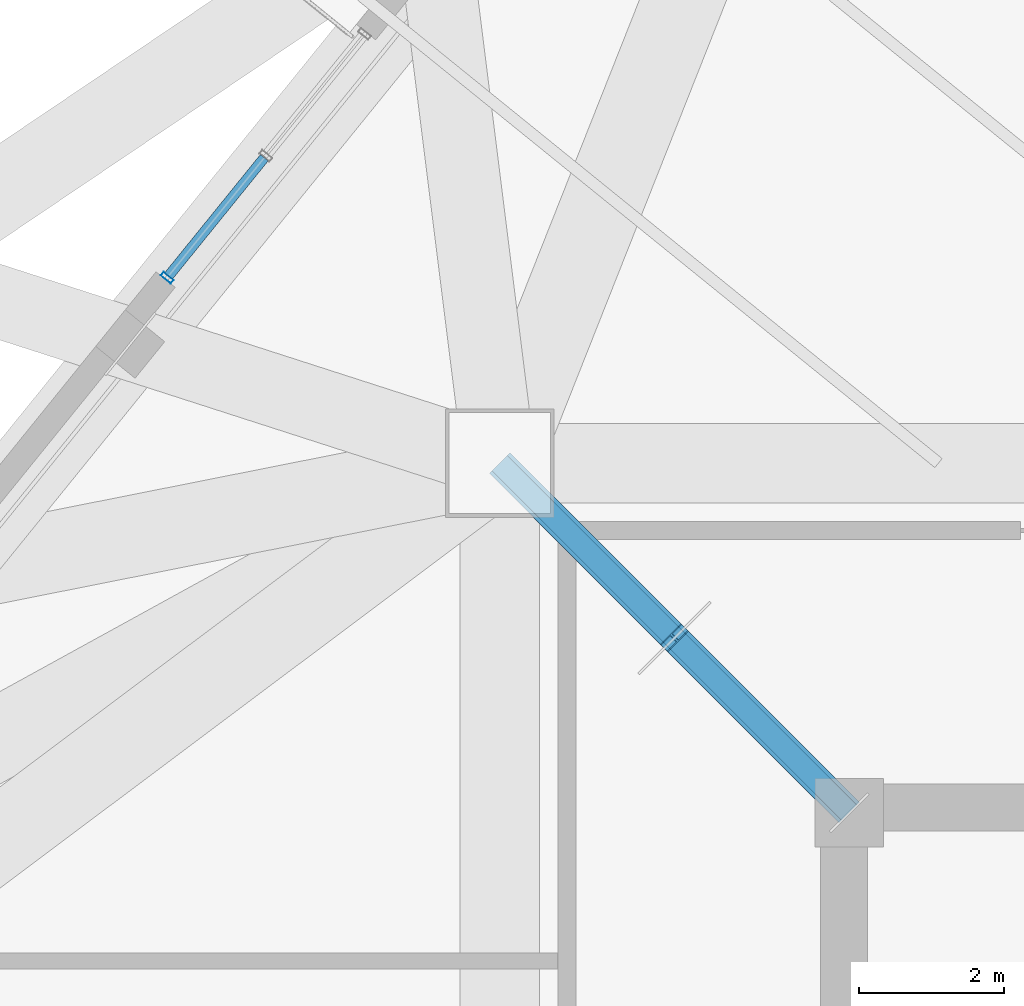
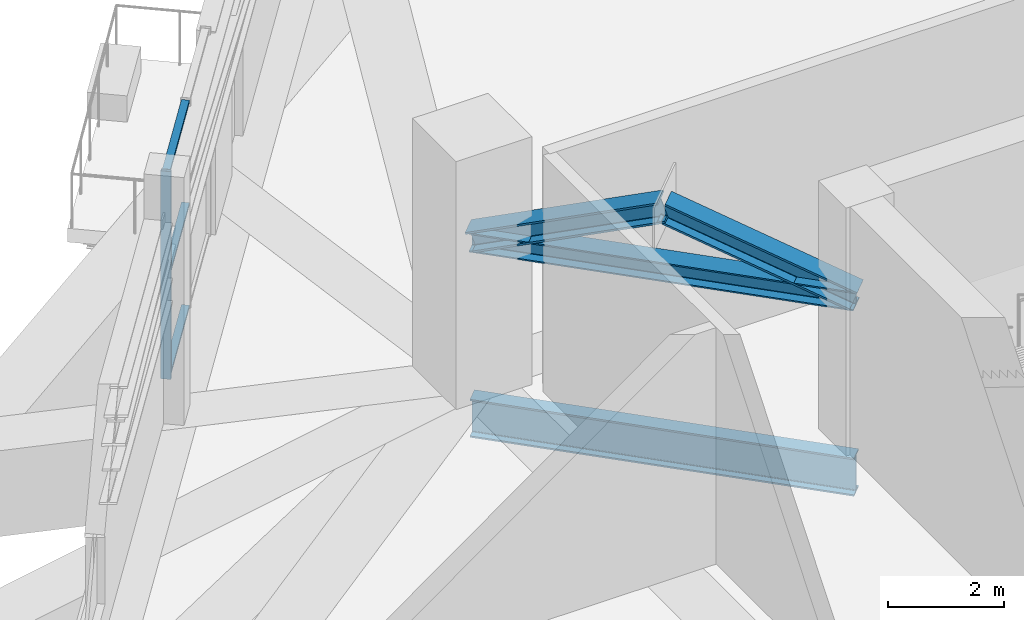
# One storey, part 7 of 22: 7 members, 1 beam, 1 element without a shape of its own.
"""IFC4 building model written with IfcOpenShell, lengths in metres."""

import ifcopenshell
import ifcopenshell.guid

model = None  # the IFC model being written
_history = None  # IfcOwnerHistory: only IFC2X3 demands one
_inside = {}  # id of a spatial element -> (the spatial element, [elements in it])
_under = {}  # id of a project, library or spatial element -> (it, [spatial elements below it])
_declared = {}  # id of a project -> (the project, [libraries it declares])
_typed = {}  # id of a type object -> (the type object, [elements of that type])
_made_of = {}  # id of a material, layer set ... -> (it, [elements and type objects made of it])


def new_model(schema):
    """Start an empty IFC model of exactly this schema.

    Asked for "IFC4X3", IfcOpenShell would pick the latest addendum, in which some entities
    have other attributes; the version numbers below select the first issue.
    IFC2X3 requires an IfcOwnerHistory on every rooted entity: one is made here for all.
    """
    global model, _history
    if schema == "IFC4X3":
        model = ifcopenshell.file(schema_version=(4, 3, 0, 0))
    else:
        model = ifcopenshell.file(schema=schema)
    _inside.clear()
    _under.clear()
    _declared.clear()
    _typed.clear()
    _made_of.clear()
    _history = None
    if model.schema == "IFC2X3":
        org = make("IfcOrganization", Name="unknown")
        user = make(
            "IfcPersonAndOrganization",
            ThePerson=make("IfcPerson", FamilyName="unknown"),
            TheOrganization=org,
        )
        app = make(
            "IfcApplication",
            ApplicationDeveloper=org,
            Version="unknown",
            ApplicationFullName="unknown",
            ApplicationIdentifier="unknown",
        )
        _history = make(
            "IfcOwnerHistory",
            OwningUser=user,
            OwningApplication=app,
            ChangeAction="ADDED",
            CreationDate=0,
        )
    return model


def make(cls, **values):
    """One entity of the class cls with the attributes given. An attribute that is None is left unset."""
    return model.create_entity(
        cls, **{name: value for name, value in values.items() if value is not None}
    )


def rooted(cls, **values):
    """An entity with a GlobalId (a new one), such as an element, a storey or a relation."""
    return make(cls, GlobalId=ifcopenshell.guid.new(), OwnerHistory=_history, **values)


def si_unit(unit_type, name, prefix=None):
    """IfcSIUnit, for example si_unit("LENGTHUNIT", "METRE", prefix="MILLI")."""
    return make("IfcSIUnit", UnitType=unit_type, Prefix=prefix, Name=name)


def assignment(units):
    """IfcUnitAssignment: the units of a project."""
    return None if units is None else make("IfcUnitAssignment", Units=units)


def point(xyz):
    """IfcCartesianPoint."""
    return None if xyz is None else make("IfcCartesianPoint", Coordinates=xyz)


def direction(xyz):
    """IfcDirection."""
    return None if xyz is None else make("IfcDirection", DirectionRatios=xyz)


def frame(location, z_axis=None, x_axis=None):
    """IfcAxis2Placement3D, a coordinate frame: its origin and axes. An axis left out is left unset."""
    return make(
        "IfcAxis2Placement3D",
        Location=point(location),
        Axis=direction(z_axis),
        RefDirection=direction(x_axis),
    )


def frame_2d(location, x_axis=None):
    """IfcAxis2Placement2D, a coordinate frame in the plane: its origin and x axis."""
    return make(
        "IfcAxis2Placement2D", Location=point(location), RefDirection=direction(x_axis)
    )


def origin():
    """The frame at (0, 0, 0) with its axes left unset."""
    return frame((0.0, 0.0, 0.0))


def origin_2d():
    """The frame at (0, 0) in the plane with its x axis left unset."""
    return frame_2d((0.0, 0.0))


def place(relative_to, where):
    """IfcLocalPlacement: puts the frame where relative to a parent placement (None: the world)."""
    return make(
        "IfcLocalPlacement", PlacementRelTo=relative_to, RelativePlacement=where
    )


def context(
    kind, dimensions, precision=None, world=None, true_north=None, identifier=None
):
    """IfcGeometricRepresentationContext, for example the 3D "Model" context."""
    return make(
        "IfcGeometricRepresentationContext",
        ContextIdentifier=identifier,
        ContextType=kind,
        CoordinateSpaceDimension=dimensions,
        Precision=precision,
        WorldCoordinateSystem=world,
        TrueNorth=true_north,
    )


def subcontext(parent, identifier, kind, view, scale=None):
    """IfcGeometricRepresentationSubContext, for example "Body" below "Model"."""
    return make(
        "IfcGeometricRepresentationSubContext",
        ContextIdentifier=identifier,
        ContextType=kind,
        ParentContext=parent,
        TargetScale=scale,
        TargetView=view,
    )


def project(units=None, contexts=None):
    """IfcProject with its units and contexts."""
    return rooted(
        "IfcProject",
        Name="project",
        RepresentationContexts=contexts,
        UnitsInContext=assignment(units),
    )


def spatial(cls, under=None, at=None, **own):
    """A site, building, storey or space (cls), placed at a placement, below another one or the project."""
    s = rooted(cls, ObjectPlacement=at, **own)
    if under is not None:
        _under.setdefault(under.id(), (under, []))[1].append(s)
    return s


def profile(cls, at=None, kind="AREA", **sizes):
    """A parametric profile (cls). Its sizes go by their IFC names, for example OverallWidth=200.0."""
    return make(cls, ProfileType=kind, Position=at, **sizes)


def hollow_rectangle(**sizes):
    """IfcRectangleHollowProfileDef."""
    return profile("IfcRectangleHollowProfileDef", **sizes)


def i_section(**sizes):
    """IfcIShapeProfileDef."""
    return profile("IfcIShapeProfileDef", **sizes)


def extrude(swept, where, along, depth):
    """IfcExtrudedAreaSolid: the profile swept, set in the frame where, extruded along a direction by depth."""
    return make(
        "IfcExtrudedAreaSolid",
        SweptArea=swept,
        Position=where,
        ExtrudedDirection=direction(along),
        Depth=depth,
    )


def shape(context_of_items, identifier, shape_type, items):
    """IfcShapeRepresentation: the items that make up one representation, for example the "Body"."""
    return make(
        "IfcShapeRepresentation",
        ContextOfItems=context_of_items,
        RepresentationIdentifier=identifier,
        RepresentationType=shape_type,
        Items=items,
    )


def source(mapping_origin, context_of_items, identifier, shape_type, items):
    """IfcRepresentationMap: a shape defined once, which mapped items show again and again."""
    return make(
        "IfcRepresentationMap",
        MappingOrigin=mapping_origin,
        MappedRepresentation=shape(context_of_items, identifier, shape_type, items),
    )


def transform(
    local_origin,
    x_axis=None,
    y_axis=None,
    z_axis=None,
    scale=None,
    scale2=None,
    scale3=None,
    uniform=True,
):
    """IfcCartesianTransformationOperator3D, or its non-uniform kind. x_axis, y_axis, z_axis: its Axis1, 2, 3."""
    if uniform:
        return make(
            "IfcCartesianTransformationOperator3D",
            Axis1=direction(x_axis),
            Axis2=direction(y_axis),
            LocalOrigin=point(local_origin),
            Scale=scale,
            Axis3=direction(z_axis),
        )
    return make(
        "IfcCartesianTransformationOperator3DnonUniform",
        Axis1=direction(x_axis),
        Axis2=direction(y_axis),
        LocalOrigin=point(local_origin),
        Scale=scale,
        Axis3=direction(z_axis),
        Scale2=scale2,
        Scale3=scale3,
    )


def mapped(mapping_source, mapping_target):
    """IfcMappedItem: shows the shape of a source again, moved by a transform."""
    return make(
        "IfcMappedItem", MappingSource=mapping_source, MappingTarget=mapping_target
    )


def material(Name=None, Category=None):
    """IfcMaterial."""
    return make("IfcMaterial", Name=Name, Category=Category)


def layer(
    of_material, thickness, ventilated=None, Name=None, Category=None, Priority=None
):
    """IfcMaterialLayer: one layer of a wall or slab, of a material (None: an air gap)."""
    return make(
        "IfcMaterialLayer",
        Material=of_material,
        LayerThickness=thickness,
        IsVentilated=ventilated,
        Name=Name,
        Category=Category,
        Priority=Priority,
    )


def layer_set(layers, Name=None):
    """IfcMaterialLayerSet."""
    return make("IfcMaterialLayerSet", MaterialLayers=layers, LayerSetName=Name)


def material_profile(
    of_material, cross_section, Name=None, Category=None, Priority=None
):
    """IfcMaterialProfile: a cross section and its material."""
    return make(
        "IfcMaterialProfile",
        Name=Name,
        Material=of_material,
        Profile=cross_section,
        Priority=Priority,
        Category=Category,
    )


def profile_set(profiles, Name=None, composite=None):
    """IfcMaterialProfileSet."""
    return make(
        "IfcMaterialProfileSet",
        Name=Name,
        MaterialProfiles=profiles,
        CompositeProfile=composite,
    )


def made_of(thing, what):
    """Note that an element or type object is made of a material, layer set ...; save() writes the relation."""
    if what is not None:
        _made_of.setdefault(what.id(), (what, []))[1].append(thing)
    return thing


def type_object(cls, material=None, **own):
    """A type object (cls), such as IfcWallType, which elements share."""
    return made_of(rooted(cls, **own), material)


def element(
    cls,
    number,
    at=None,
    inside=None,
    cuts=None,
    type_object=None,
    material=None,
    context=None,
    identifier="Body",
    shape_type=None,
    held_by="IfcProductDefinitionShape",
    body=None,
    shapes=None,
    **own,
):
    """One element of the class cls, such as IfcWall. Its Tag is "e" and its number.

    at: its placement. inside: the storey or other place that contains it. cuts: it is an
    opening in that element (IfcRelVoidsElement). A single representation is given by context,
    identifier, shape_type and body (its items); several are given by shapes. held_by: the class
    of the entity that holds the representations. save() writes the other relations.
    """
    e = rooted(cls, Tag="e%d" % number, ObjectPlacement=at, **own)
    if body is not None:
        shapes = [shape(context, identifier, shape_type, body)]
    if shapes is not None:
        e.Representation = make(held_by, Representations=shapes)
    if inside is not None:
        _inside.setdefault(inside.id(), (inside, []))[1].append(e)
    if cuts is not None:
        rooted(
            "IfcRelVoidsElement", RelatingBuildingElement=cuts, RelatedOpeningElement=e
        )
    if type_object is not None:
        _typed.setdefault(type_object.id(), (type_object, []))[1].append(e)
    return made_of(e, material)


def aggregate(whole, parts):
    """IfcRelAggregates: a whole, such as a stair, and the parts it consists of."""
    return rooted("IfcRelAggregates", RelatingObject=whole, RelatedObjects=parts)


def save(model, path):
    """Write the relations noted so far, then the file.

    IfcRelAggregates (storeys below a building ...), IfcRelContainedInSpatialStructure (elements
    in a storey), IfcRelDefinesByType, IfcRelAssociatesMaterial and IfcRelDeclares: one each for
    every whole, place, type object, material and project.
    """
    for whole, parts in _under.values():
        aggregate(whole, parts)
    for where, things in _inside.values():
        rooted(
            "IfcRelContainedInSpatialStructure",
            RelatedElements=things,
            RelatingStructure=where,
        )
    for kind, things in _typed.values():
        rooted("IfcRelDefinesByType", RelatedObjects=things, RelatingType=kind)
    for what, things in _made_of.values():
        rooted("IfcRelAssociatesMaterial", RelatedObjects=things, RelatingMaterial=what)
    for by, libraries in _declared.values():
        rooted("IfcRelDeclares", RelatingContext=by, RelatedDefinitions=libraries)
    model.write(path)


model = new_model("IFC4")

# Units and contexts
model_context = context("Model", 3, precision=1e-05, world=origin(), true_north=direction((0.0, 1.0)))
body_context = subcontext(model_context, "Body", "Model", "MODEL_VIEW")
ifc_project = project(units=[si_unit("LENGTHUNIT", "METRE"), si_unit("AREAUNIT", "SQUARE_METRE"), si_unit("VOLUMEUNIT", "CUBIC_METRE"), si_unit("PLANEANGLEUNIT", "RADIAN"), si_unit("MASSUNIT", "GRAM", prefix="KILO"), si_unit("THERMODYNAMICTEMPERATUREUNIT", "KELVIN")], contexts=[model_context])

# Site, building, storey
site_placement = place(None, origin())
site = spatial("IfcSite", under=ifc_project, at=site_placement, CompositionType="ELEMENT")
building_placement = place(site_placement, origin())
building = spatial("IfcBuilding", under=site, at=building_placement, Name="Kosmvard Interchange Tower", CompositionType="ELEMENT")
storey_placement = place(building_placement, frame((0.0, 0.0, 200.39990234375)))
storey = spatial("IfcBuildingStorey", under=building, at=storey_placement, Name="L48", CompositionType="ELEMENT", Elevation=200.39990234375)

# Member
ifc_material_1 = material(Name="Steel S460", Category="steel")
ifc_material_profile_1 = material_profile(ifc_material_1, i_section(OverallWidth=0.40087890625, OverallDepth=0.39892578125, WebThickness=0.0185546875, FlangeThickness=0.028076171875, FilletRadius=0.014892578125, at=origin_2d()), Name="HD 400x314")
ifc_profile_set_1 = profile_set([ifc_material_profile_1], Name="Steel S460")
member_type_1 = type_object("IfcMemberType", Name="Outrigger Top and Bottom Chord HD 400x314 S460", PredefinedType="CHORD", material=ifc_profile_set_1)
shared_shape_1 = source(origin(), body_context, "Body", "SweptSolid", [
    extrude(i_section(OverallWidth=0.40087890625, OverallDepth=0.39892578125, WebThickness=0.0185546875, FlangeThickness=0.028076171875, FilletRadius=0.014892578125, at=origin_2d()), origin(), (0.0, 0.0, 1.0), 6.83203125),
])
member_1_placement = place(storey_placement, frame((-8.25, 8.25, 2.920166015625), z_axis=(-0.707106781187, 0.707106781187, 0.0), x_axis=(-0.707106781187, -0.707106781187, 0.0)))
element("IfcMember", 1, at=member_1_placement, inside=storey, type_object=member_type_1, Name="L48 Outrigger Bottom Chord 4", PredefinedType="CHORD", context=body_context, shape_type="MappedRepresentation", body=[
    mapped(shared_shape_1, transform((0.0, 0.0, 0.0), scale=1.0)),
])

# Beam
ifc_material_2 = material(Name="Steel S355", Category="steel")
ifc_material_profile_2 = material_profile(ifc_material_2, i_section(OverallWidth=0.300048828125, OverallDepth=0.800048828125, WebThickness=0.017578125, FlangeThickness=0.032958984375, FilletRadius=0.027099609375, at=origin_2d()), Name="HEB 800")
ifc_profile_set_2 = profile_set([ifc_material_profile_2], Name="Steel S355")
beam_type = type_object("IfcBeamType", Name="Primary Mega-Frame Girder HEB 800 S355", PredefinedType="BEAM", material=ifc_profile_set_2)
shared_shape_2 = source(origin(), body_context, "Body", "SweptSolid", [
    extrude(i_section(OverallWidth=0.300048828125, OverallDepth=0.800048828125, WebThickness=0.017578125, FlangeThickness=0.032958984375, FilletRadius=0.027099609375, at=origin_2d()), origin(), (0.0, 0.0, 1.0), 6.83203125),
])
beam_placement = place(storey_placement, frame((-8.25, 8.25, -0.7998046875), z_axis=(-0.707106781187, 0.707106781187, 0.0), x_axis=(-0.707106781187, -0.707106781187, 0.0)))
element("IfcBeam", 2, at=beam_placement, inside=storey, type_object=beam_type, Name="L48 Radial Mega-Frame Girder 4", PredefinedType="BEAM", context=body_context, shape_type="MappedRepresentation", body=[
    mapped(shared_shape_2, transform((0.0, 0.0, 0.0), scale=1.0)),
])

# Members
ifc_material_profile_3 = material_profile(ifc_material_1, i_section(OverallWidth=0.408935546875, OverallDepth=0.425048828125, WebThickness=0.02392578125, FlangeThickness=0.0390625, FilletRadius=0.014892578125, at=origin_2d()), Name="HD 400x421")
ifc_profile_set_3 = profile_set([ifc_material_profile_3], Name="Steel S460")
member_type_2 = type_object("IfcMemberType", Name="Radial Outrigger Diagonal HD 400x421 S460", PredefinedType="BRACE", material=ifc_profile_set_3)
shared_shape_3 = source(origin(), body_context, "Body", "SweptSolid", [
    extrude(i_section(OverallWidth=0.408935546875, OverallDepth=0.425048828125, WebThickness=0.02392578125, FlangeThickness=0.0390625, FilletRadius=0.014892578125, at=origin_2d()), origin(), (0.0, 0.0, 1.0), 3.63427734375),
])
for number, where, z_axis, x_axis, name in (
    (3, (-8.25, 8.25, 2.920166015625), (-0.664672771684, 0.664672771684, 0.341204063815), (-0.707106781187, -0.707106781187, 0.0), "L48 Outrigger Diagonal 4A"),
    (4, (-10.66552734375, 10.66552734375, 4.16015625), (-0.664672771684, 0.664672771684, -0.341204063815), (-0.707106781187, -0.707106781187, 0.0), "L48 Outrigger Diagonal 4B"),
):
    element("IfcMember", number, at=place(storey_placement, frame(where, z_axis=z_axis, x_axis=x_axis)), inside=storey, type_object=member_type_2, Name=name, PredefinedType="BRACE", context=body_context, shape_type="MappedRepresentation", body=[
        mapped(shared_shape_3, transform((0.0, 0.0, 0.0), scale=1.0)),
    ])

# Curtain wall, members
ifc_material_3 = material(Name="Architectural anodised aluminium", Category="aluminium")
ifc_layer = layer(ifc_material_3, 0.179931640625, Name="Architectural anodised aluminium")
ifc_layer_set = layer_set([ifc_layer], Name="Architectural anodised aluminium")
curtain_wall_type = type_object("IfcCurtainWallType", Name="CW-3 Sky-Garden Vestibule Curtain Wall", PredefinedType="NOTDEFINED", material=ifc_layer_set)
curtain_wall_placement = place(storey_placement, origin())
curtain_wall = element("IfcCurtainWall", 5, at=curtain_wall_placement, inside=storey, type_object=curtain_wall_type, Name="L48 Sky-Garden Curtain Wall N", PredefinedType="NOTDEFINED")
ifc_material_profile_4 = material_profile(ifc_material_3, hollow_rectangle(XDim=0.139892578125, YDim=0.06005859375, WallThickness=0.00390625, at=origin_2d()), Name="CWT 140x60x4")
ifc_profile_set_4 = profile_set([ifc_material_profile_4], Name="Architectural anodised aluminium")
member_type_3 = type_object("IfcMemberType", Name="Sky-Garden CW Transom 140x60 Aluminium", PredefinedType="USERDEFINED", material=ifc_profile_set_4)
shared_shape_4 = source(origin(), body_context, "Body", "SweptSolid", [
    extrude(hollow_rectangle(XDim=0.139892578125, YDim=0.06005859375, WallThickness=0.00390625, at=origin_2d()), origin(), (0.0, 0.0, 1.0), 2.1025390625),
])
member_2_placement = place(storey_placement, frame((-16.331787109375, 17.301025390625, 0.030029296875), z_axis=(-0.629258355065, -0.777196193108, 0.0), x_axis=(0.777196193108, -0.629258355065, 0.0)))
member_2 = element("IfcMember", 6, at=member_2_placement, type_object=member_type_3, Name="CW-3 transom 2.1", ObjectType="TRANSOM", PredefinedType="USERDEFINED", context=body_context, shape_type="MappedRepresentation", body=[
    mapped(shared_shape_4, transform((0.0, 0.0, 0.0), scale=1.0)),
])
member_3_placement = place(storey_placement, frame((-16.331787109375, 17.301025390625, 2.18017578125), z_axis=(-0.629258355065, -0.777196193108, 0.0), x_axis=(0.777196193108, -0.629258355065, 0.0)))
member_3 = element("IfcMember", 7, at=member_3_placement, type_object=member_type_3, Name="CW-3 transom 2.2", ObjectType="TRANSOM", PredefinedType="USERDEFINED", context=body_context, shape_type="MappedRepresentation", body=[
    mapped(shared_shape_4, transform((0.0, 0.0, 0.0), scale=1.0)),
])
member_4_placement = place(storey_placement, frame((-16.331787109375, 17.301025390625, 4.330078125), z_axis=(-0.629258355065, -0.777196193108, 0.0), x_axis=(0.777196193108, -0.629258355065, 0.0)))
member_4 = element("IfcMember", 8, at=member_4_placement, type_object=member_type_3, Name="CW-3 transom 2.3", ObjectType="TRANSOM", PredefinedType="USERDEFINED", context=body_context, shape_type="MappedRepresentation", body=[
    mapped(shared_shape_4, transform((0.0, 0.0, 0.0), scale=1.0)),
])
ifc_material_profile_5 = material_profile(ifc_material_3, hollow_rectangle(XDim=0.179931640625, YDim=0.06494140625, WallThickness=0.00390625, at=origin_2d()), Name="CWM 180x65x4")
ifc_profile_set_5 = profile_set([ifc_material_profile_5], Name="Architectural anodised aluminium")
member_type_4 = type_object("IfcMemberType", Name="Sky-Garden CW Mullion 180x65 Aluminium", PredefinedType="MULLION", material=ifc_profile_set_5)
shared_shape_5 = source(origin(), body_context, "Body", "SweptSolid", [
    extrude(hollow_rectangle(XDim=0.179931640625, YDim=0.06494140625, WallThickness=0.00390625, at=origin_2d()), origin(), (0.0, 0.0, 1.0), 4.360107421875),
])
member_5_placement = place(storey_placement, frame((-17.67529296875, 15.641845703125, 0.0), z_axis=(0.0, 0.0, 1.0), x_axis=(0.777146020813, -0.629320317751, 0.0)))
member_5 = element("IfcMember", 9, at=member_5_placement, type_object=member_type_4, Name="CW-3 mullion 3", PredefinedType="MULLION", context=body_context, shape_type="MappedRepresentation", body=[
    mapped(shared_shape_5, transform((0.0, 0.0, 0.0), scale=1.0)),
])
aggregate(curtain_wall, [member_5, member_2, member_3, member_4])

save(model, "model.ifc")
